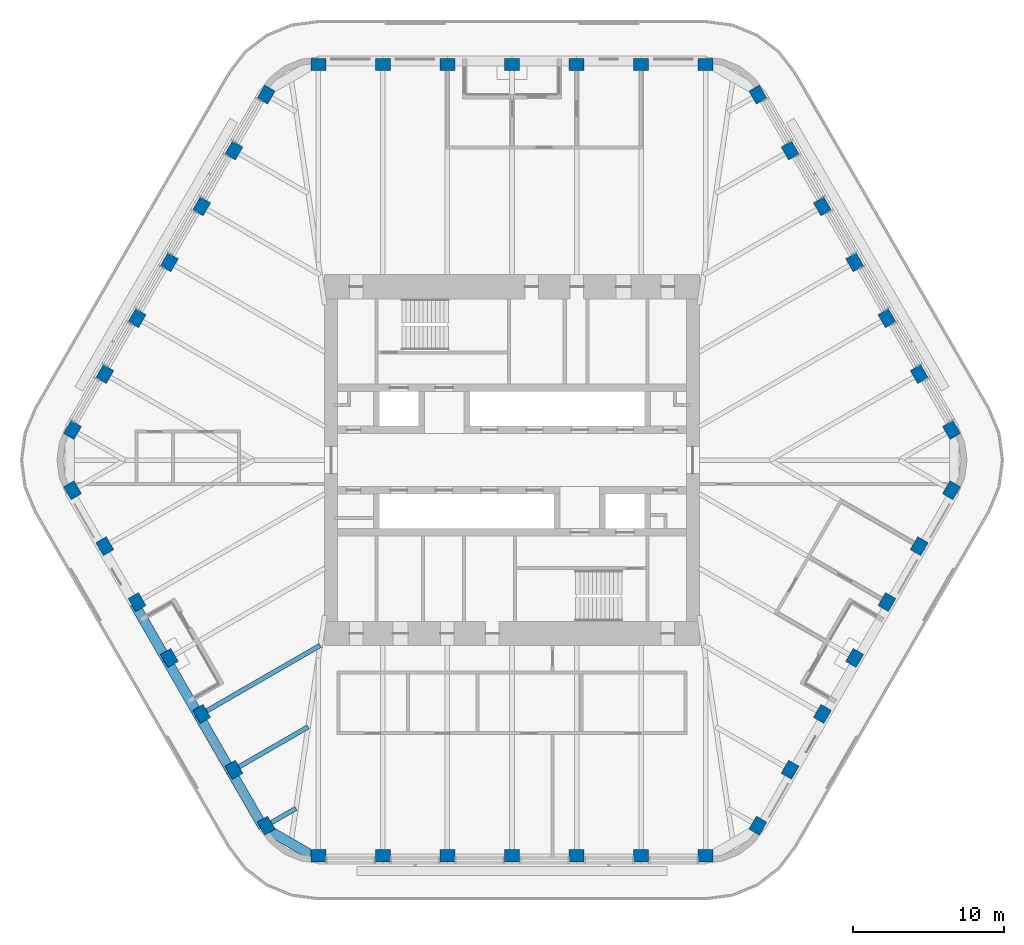
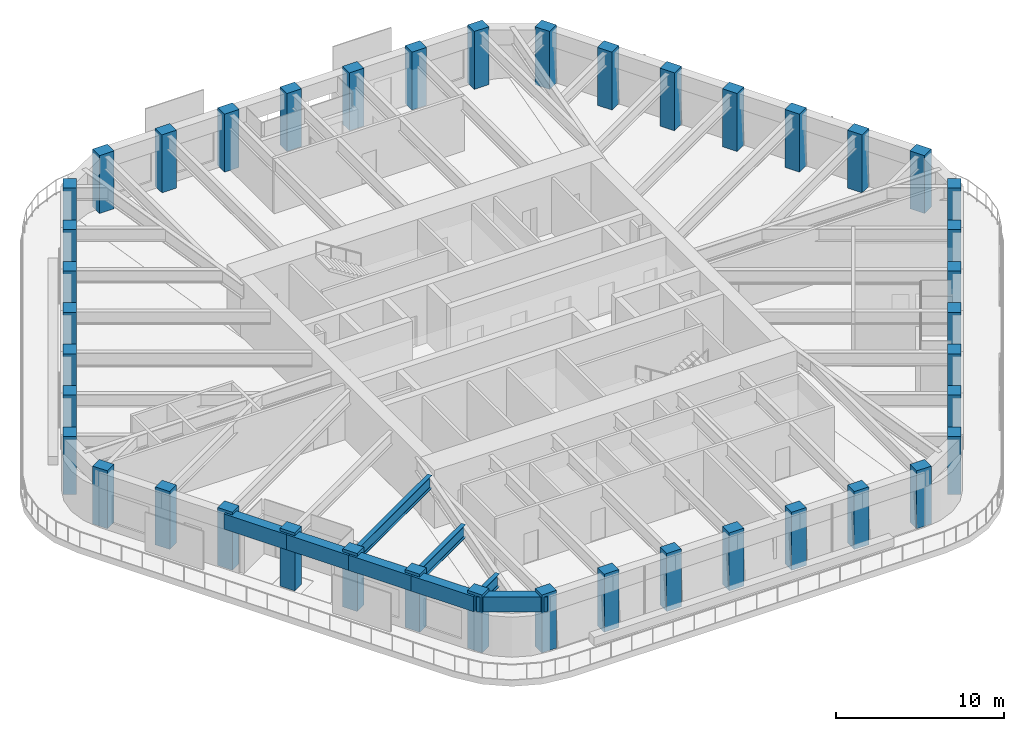
# One storey, part 1 of 19: 42 columns, 8 beams.
"""IFC4 building model written with IfcOpenShell, lengths in metres."""

from ifc_helpers import new_model, si_unit, direction, frame, origin, origin_2d, place, context, subcontext, project, spatial, rectangle, i_section, extrude, material, material_profile, profile_set, type_object, element, save


model = new_model("IFC4")

# Units and contexts
model_context = context("Model", 3, precision=1e-05, world=origin(), true_north=direction((0.0, 1.0)))
body_context = subcontext(model_context, "Body", "Model", "MODEL_VIEW")
ifc_project = project(units=[si_unit("LENGTHUNIT", "METRE"), si_unit("AREAUNIT", "SQUARE_METRE"), si_unit("VOLUMEUNIT", "CUBIC_METRE"), si_unit("PLANEANGLEUNIT", "RADIAN"), si_unit("MASSUNIT", "GRAM", prefix="KILO")], contexts=[model_context])

# Site, building, storey
site_placement = place(None, origin())
site = spatial("IfcSite", under=ifc_project, at=site_placement, CompositionType="ELEMENT")
building_placement = place(site_placement, origin())
building = spatial("IfcBuilding", under=site, at=building_placement, Name="Tarfa Lantern Tower", CompositionType="ELEMENT")
storey_placement = place(building_placement, frame((0.0, 0.0, 332.5)))
storey = spatial("IfcBuildingStorey", under=building, at=storey_placement, Name="L75", CompositionType="ELEMENT", Elevation=332.5)

# Columns
ifc_material_1 = material(Name="Concrete C80/95", Category="concrete")
ifc_material_profile_1 = material_profile(ifc_material_1, rectangle(XDim=1.0, YDim=0.800048828125, at=origin_2d()), Name="RC 1000x800")
ifc_profile_set_1 = profile_set([ifc_material_profile_1], Name="Concrete C80/95")
column_type = type_object("IfcColumnType", Name="TC14 RC 1000x800", PredefinedType="COLUMN", material=ifc_profile_set_1)
for number, where, z_axis, x_axis, name in (
    (1, (29.15625, 2.0, 0.0), (0.0, 0.0, 1.0), (-0.5, 0.866025403784, 0.0), "Tube column NE0"),
    (2, (27.01513671875, 5.708251953125, 0.0), (0.0, 0.0, 1.0), (-0.5, 0.866025403784, 0.0), "Tube column NE1"),
    (3, (24.874267578125, 9.416748046875, 0.0), (0.0, 0.0, 1.0), (-0.5, 0.866025403784, 0.0), "Tube column NE2"),
    (4, (22.733154296875, 13.125, 0.0), (0.0, 0.0, 1.0), (-0.5, 0.866025403784, 0.0), "Tube column NE3"),
    (5, (20.592041015625, 16.833251953125, 0.0), (0.0, 0.0, 1.0), (-0.5, 0.866025403784, 0.0), "Tube column NE4"),
    (6, (18.451171875, 20.541748046875, 0.0), (0.0, 0.0, 1.0), (-0.5, 0.866025403784, 0.0), "Tube column NE5"),
    (7, (16.31005859375, 24.25, 0.0), (0.0, 0.0, 1.0), (-0.5, 0.866025403784, 0.0), "Tube column NE6"),
    (8, (12.845947265625, 26.25, 0.0), (0.0, 0.0, 1.0), (-1.0, 0.0, 0.0), "Tube column N0"),
    (9, (8.56396484375, 26.25, 0.0), (0.0, 0.0, 1.0), (-1.0, 0.0, 0.0), "Tube column N1"),
    (10, (4.281982421875, 26.25, 0.0), (0.0, 0.0, 1.0), (-1.0, 0.0, 0.0), "Tube column N2"),
    (11, (0.0, 26.25, 0.0), (0.0, 0.0, 1.0), (-1.0, 0.0, 0.0), "Tube column N3"),
    (12, (-4.281982421875, 26.25, 0.0), (0.0, 0.0, 1.0), (-1.0, 0.0, 0.0), "Tube column N4"),
    (13, (-8.56396484375, 26.25, 0.0), (0.0, 0.0, 1.0), (-1.0, 0.0, 0.0), "Tube column N5"),
    (14, (-12.845947265625, 26.25, 0.0), (0.0, 0.0, 1.0), (-1.0, 0.0, 0.0), "Tube column N6"),
    (15, (-16.31005859375, 24.25, 0.0), (0.0, 0.0, 1.0), (-0.5, -0.866025403784, 0.0), "Tube column NW0"),
    (16, (-18.451171875, 20.541748046875, 0.0), (0.0, 0.0, 1.0), (-0.5, -0.866025403784, 0.0), "Tube column NW1"),
    (17, (-20.592041015625, 16.833251953125, 0.0), (0.0, 0.0, 1.0), (-0.5, -0.866025403784, 0.0), "Tube column NW2"),
    (18, (-22.733154296875, 13.125, 0.0), (0.0, 0.0, 1.0), (-0.5, -0.866025403784, 0.0), "Tube column NW3"),
    (19, (-24.874267578125, 9.416748046875, 0.0), (0.0, 0.0, 1.0), (-0.5, -0.866025403784, 0.0), "Tube column NW4"),
    (20, (-27.01513671875, 5.708251953125, 0.0), (0.0, 0.0, 1.0), (-0.5, -0.866025403784, 0.0), "Tube column NW5"),
    (21, (-29.15625, 2.0, 0.0), (0.0, 0.0, 1.0), (-0.5, -0.866025403784, 0.0), "Tube column NW6"),
    (22, (-29.15625, -2.0, 0.0), (0.0, 0.0, 1.0), (0.5, -0.866025403784, 0.0), "Tube column SW0"),
    (23, (-27.01513671875, -5.708251953125, 0.0), (0.0, 0.0, 1.0), (0.5, -0.866025403784, 0.0), "Tube column SW1"),
    (24, (-24.874267578125, -9.416748046875, 0.0), (0.0, 0.0, 1.0), (0.5, -0.866025403784, 0.0), "Tube column SW2"),
    (25, (-22.733154296875, -13.125, 0.0), (0.0, 0.0, 1.0), (0.5, -0.866025403784, 0.0), "Tube column SW3"),
    (26, (-20.592041015625, -16.833251953125, 0.0), (0.0, 0.0, 1.0), (0.5, -0.866025403784, 0.0), "Tube column SW4"),
    (27, (-18.451171875, -20.541748046875, 0.0), (0.0, 0.0, 1.0), (0.5, -0.866025403784, 0.0), "Tube column SW5"),
    (28, (-16.31005859375, -24.25, 0.0), (0.0, 0.0, 1.0), (0.5, -0.866025403784, 0.0), "Tube column SW6"),
    (29, (-12.845947265625, -26.25, 0.0), (0.0, 0.0, 1.0), (1.0, 0.0, 0.0), "Tube column S0"),
    (30, (-8.56396484375, -26.25, 0.0), (0.0, 0.0, 1.0), (1.0, 0.0, 0.0), "Tube column S1"),
    (31, (-4.281982421875, -26.25, 0.0), (0.0, 0.0, 1.0), (1.0, 0.0, 0.0), "Tube column S2"),
    (32, (0.0, -26.25, 0.0), (0.0, 0.0, 1.0), (1.0, 0.0, 0.0), "Tube column S3"),
    (33, (4.281982421875, -26.25, 0.0), (0.0, 0.0, 1.0), (1.0, 0.0, 0.0), "Tube column S4"),
    (34, (8.56396484375, -26.25, 0.0), (0.0, 0.0, 1.0), (1.0, 0.0, 0.0), "Tube column S5"),
    (35, (12.845947265625, -26.25, 0.0), (0.0, 0.0, 1.0), (1.0, 0.0, 0.0), "Tube column S6"),
    (36, (16.31005859375, -24.25, 0.0), (0.0, 0.0, 1.0), (0.5, 0.866025403784, 0.0), "Tube column SE0"),
    (37, (18.451171875, -20.541748046875, 0.0), (0.0, 0.0, 1.0), (0.5, 0.866025403784, 0.0), "Tube column SE1"),
    (38, (20.592041015625, -16.833251953125, 0.0), (0.0, 0.0, 1.0), (0.5, 0.866025403784, 0.0), "Tube column SE2"),
    (39, (22.733154296875, -13.125, 0.0), (0.0, 0.0, 1.0), (0.5, 0.866025403784, 0.0), "Tube column SE3"),
    (40, (24.874267578125, -9.416748046875, 0.0), (0.0, 0.0, 1.0), (0.5, 0.866025403784, 0.0), "Tube column SE4"),
    (41, (27.01513671875, -5.708251953125, 0.0), (0.0, 0.0, 1.0), (0.5, 0.866025403784, 0.0), "Tube column SE5"),
    (42, (29.15625, -2.0, 0.0), (0.0, 0.0, 1.0), (0.5, 0.866025403784, 0.0), "Tube column SE6"),
):
    element("IfcColumn", number, at=place(storey_placement, frame(where, z_axis=z_axis, x_axis=x_axis)), inside=storey, type_object=column_type, Name=name, PredefinedType="COLUMN", context=body_context, shape_type="SweptSolid", body=[
        extrude(rectangle(XDim=1.0, YDim=0.800048828125, at=origin_2d()), origin(), (0.0, 0.0, 1.0), 4.199951171875),
    ])

# Beams
ifc_material_profile_2 = material_profile(ifc_material_1, rectangle(XDim=0.64990234375, YDim=1.10009765625, at=origin_2d()), Name="RC 650x1100")
ifc_profile_set_2 = profile_set([ifc_material_profile_2], Name="Concrete C80/95")
beam_type_1 = type_object("IfcBeamType", Name="EB4 RC 650x1100", PredefinedType="SPANDREL", material=ifc_profile_set_2)
beam_1_placement = place(storey_placement, frame((-25.064697265625, -9.526611328125, 3.449951171875), z_axis=(0.500002112793, -0.866024183959, 0.0), x_axis=(0.866024183959, 0.500002112793, 0.0)))
element("IfcBeam", 43, at=beam_1_placement, inside=storey, type_object=beam_type_1, Name="Edge beam SW2", PredefinedType="SPANDREL", context=body_context, shape_type="SweptSolid", body=[
    extrude(rectangle(XDim=0.64990234375, YDim=1.10009765625, at=origin_2d()), origin(), (0.0, 0.0, 1.0), 4.2822265625),
])
for number, where, z_axis, x_axis, name in (
    (44, (-22.923583984375, -13.235107421875, 3.449951171875), (0.499984039138, -0.866034618596, 0.0), (0.866034618596, 0.499984039138, 0.0), "Edge beam SW3"),
    (45, (-20.78271484375, -16.943359375, 3.449951171875), (0.500026801138, -0.866009929587, 0.0), (0.866009929587, 0.500026801138, 0.0), "Edge beam SW4"),
    (46, (-18.6416015625, -20.651611328125, 3.449951171875), (0.499959351497, -0.866048870937, 0.0), (0.866048870937, 0.499959351497, 0.0), "Edge beam SW5"),
):
    element("IfcBeam", number, at=place(storey_placement, frame(where, z_axis=z_axis, x_axis=x_axis)), inside=storey, type_object=beam_type_1, Name=name, PredefinedType="SPANDREL", context=body_context, shape_type="SweptSolid", body=[
        extrude(rectangle(XDim=0.64990234375, YDim=1.10009765625, at=origin_2d()), origin(), (0.0, 0.0, 1.0), 4.281982421875),
    ])
beam_2_placement = place(storey_placement, frame((-16.500732421875, -24.360107421875, 3.449951171875), z_axis=(0.866048788483, -0.499959494327, 0.0), x_axis=(0.499959494327, 0.866048788483, 0.0)))
element("IfcBeam", 47, at=beam_2_placement, inside=storey, type_object=beam_type_1, Name="Edge beam SW6", PredefinedType="SPANDREL", context=body_context, shape_type="SweptSolid", body=[
    extrude(rectangle(XDim=0.64990234375, YDim=1.10009765625, at=origin_2d()), origin(), (0.0, 0.0, 1.0), 4.219970703125),
])
ifc_material_2 = material(Name="Steel S460M", Category="steel")
ifc_material_profile_3 = material_profile(ifc_material_2, i_section(OverallWidth=0.305419921875, OverallDepth=0.91845703125, WebThickness=0.017333984375, FlangeThickness=0.02783203125, FilletRadius=0.01904296875, at=origin_2d()), Name="UB914x305x253")
ifc_profile_set_3 = profile_set([ifc_material_profile_3], Name="Steel S460M")
beam_type_2 = type_object("IfcBeamType", Name="UB914x305x253", PredefinedType="BEAM", material=ifc_profile_set_3)
beam_3_placement = place(storey_placement, frame((-20.78271484375, -16.943359375, 3.540771484375), z_axis=(0.866021806508, 0.500006230613, 0.0), x_axis=(-0.500006230613, 0.866021806508, 0.0)))
element("IfcBeam", 48, at=beam_3_placement, inside=storey, type_object=beam_type_2, Name="Floor beam SW4", PredefinedType="BEAM", context=body_context, shape_type="SweptSolid", body=[
    extrude(i_section(OverallWidth=0.305419921875, OverallDepth=0.91845703125, WebThickness=0.017333984375, FlangeThickness=0.02783203125, FilletRadius=0.01904296875, at=origin_2d()), origin(), (0.0, 0.0, 1.0), 9.30908203125),
])
beam_4_placement = place(storey_placement, frame((-18.6416015625, -20.651611328125, 3.540771484375), z_axis=(0.866024549157, 0.500001480256, 0.0), x_axis=(-0.500001480256, 0.866024549157, 0.0)))
element("IfcBeam", 49, at=beam_4_placement, inside=storey, type_object=beam_type_2, Name="Floor beam SW5", PredefinedType="BEAM", context=body_context, shape_type="SweptSolid", body=[
    extrude(i_section(OverallWidth=0.305419921875, OverallDepth=0.91845703125, WebThickness=0.017333984375, FlangeThickness=0.02783203125, FilletRadius=0.01904296875, at=origin_2d()), origin(), (0.0, 0.0, 1.0), 5.90771484375),
])
beam_5_placement = place(storey_placement, frame((-16.500732421875, -24.360107421875, 3.540771484375), z_axis=(0.865992557167, 0.500056887695, 0.0), x_axis=(-0.500056887695, 0.865992557167, 0.0)))
element("IfcBeam", 50, at=beam_5_placement, inside=storey, type_object=beam_type_2, Name="Floor beam SW6", PredefinedType="BEAM", context=body_context, shape_type="SweptSolid", body=[
    extrude(i_section(OverallWidth=0.305419921875, OverallDepth=0.91845703125, WebThickness=0.017333984375, FlangeThickness=0.02783203125, FilletRadius=0.01904296875, at=origin_2d()), origin(), (0.0, 0.0, 1.0), 2.506591796875),
])

save(model, "model.ifc")
